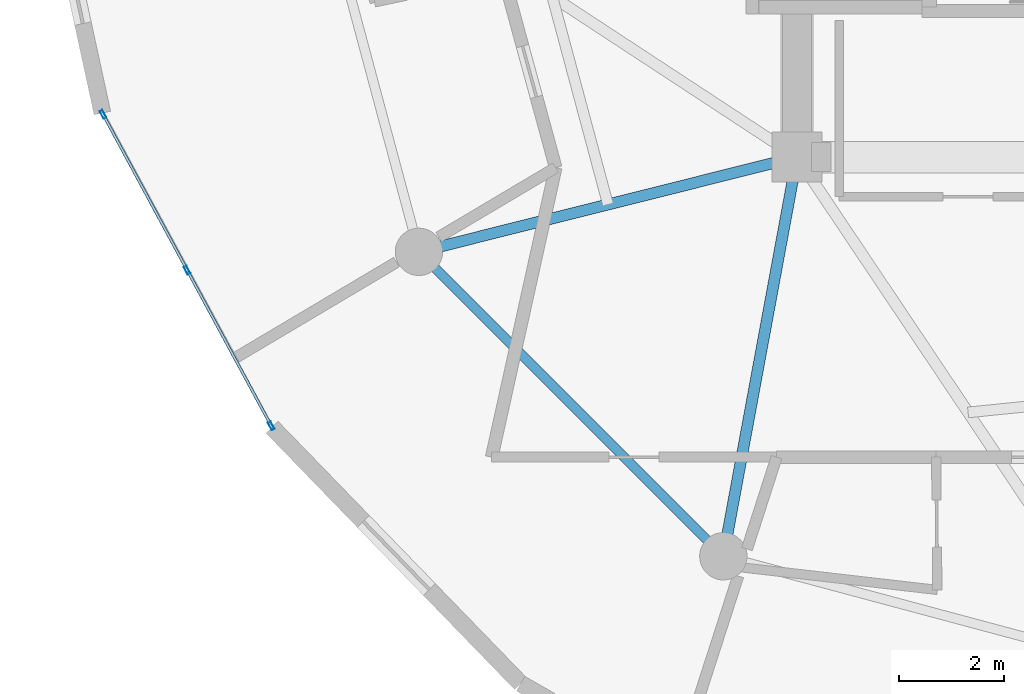
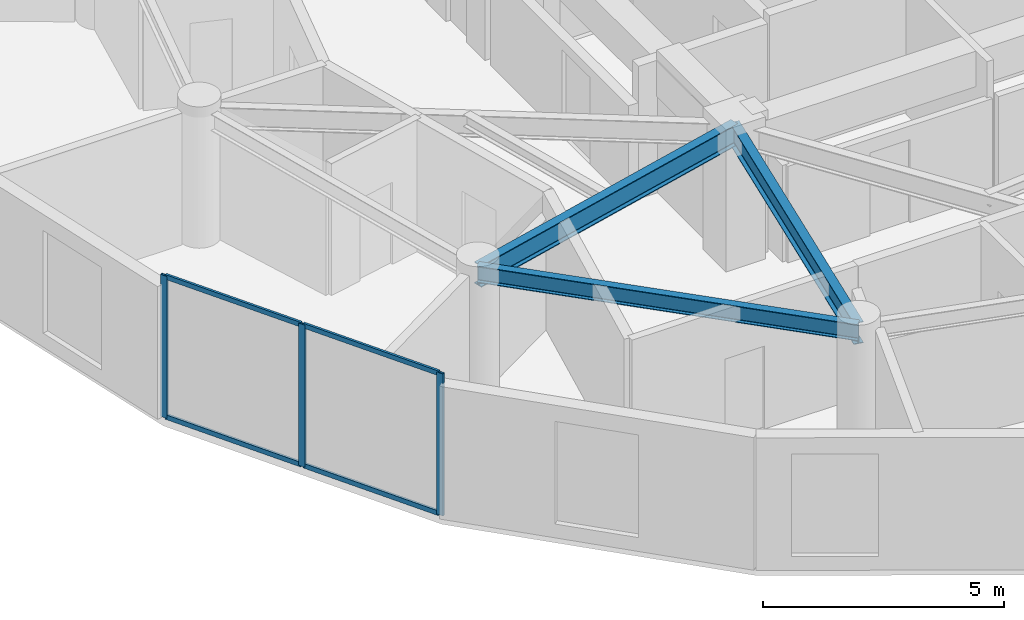
# One storey, part 3 of 23: 7 members, 3 beams, 1 element without a shape of its own.
"""IFC4 building model written with IfcOpenShell, lengths in metres."""

from ifc_helpers import new_model, si_unit, direction, frame, origin, origin_2d, place, context, subcontext, project, spatial, hollow_rectangle, i_section, extrude, source, transform, mapped, material, layer, layer_set, material_profile, profile_set, type_object, element, aggregate, save


model = new_model("IFC4")

# Units and contexts
model_context = context("Model", 3, precision=1e-05, world=origin(), true_north=direction((0.0, 1.0)))
body_context = subcontext(model_context, "Body", "Model", "MODEL_VIEW")
ifc_project = project(units=[si_unit("LENGTHUNIT", "METRE"), si_unit("AREAUNIT", "SQUARE_METRE"), si_unit("VOLUMEUNIT", "CUBIC_METRE"), si_unit("PLANEANGLEUNIT", "RADIAN"), si_unit("MASSUNIT", "GRAM", prefix="KILO")], contexts=[model_context])

# Site, building, storey
site_placement = place(None, origin())
site = spatial("IfcSite", under=ifc_project, at=site_placement, CompositionType="ELEMENT")
building_placement = place(site_placement, origin())
building = spatial("IfcBuilding", under=site, at=building_placement, Name="Solvirekh Grand Hotel", CompositionType="ELEMENT")
storey_placement = place(building_placement, frame((0.0, 0.0, 173.199951171875)))
storey = spatial("IfcBuildingStorey", under=building, at=storey_placement, Name="L44", CompositionType="ELEMENT", Elevation=173.199951171875)

# Beams
ifc_material_1 = material(Name="Steel S355", Category="steel")
ifc_material_profile_1 = material_profile(ifc_material_1, i_section(OverallWidth=0.2119140625, OverallDepth=0.5439453125, WebThickness=0.011962890625, FlangeThickness=0.01904296875, FilletRadius=0.013916015625, at=origin_2d()), Name="W530X123")
ifc_profile_set_1 = profile_set([ifc_material_profile_1], Name="Steel S355")
beam_type_1 = type_object("IfcBeamType", Name="Beam_Radial_W530H", PredefinedType="BEAM", material=ifc_profile_set_1)
beam_1_placement = place(storey_placement, frame((-6.5, -6.10009765625, 3.088134765625), z_axis=(-0.970014367692, -0.243047580675, 0.0), x_axis=(0.243047580675, -0.970014367692, 0.0)))
element("IfcBeam", 1, at=beam_1_placement, inside=storey, type_object=beam_type_1, Name="L44 radial floor beam R08", PredefinedType="BEAM", context=body_context, shape_type="SweptSolid", body=[
    extrude(i_section(OverallWidth=0.2119140625, OverallDepth=0.5439453125, WebThickness=0.011962890625, FlangeThickness=0.01904296875, FilletRadius=0.013916015625, at=origin_2d()), origin(), (0.0, 0.0, 1.0), 7.4052734375),
])
beam_2_placement = place(storey_placement, frame((-6.5, -6.10009765625, 3.088134765625), z_axis=(-0.181542769111, -0.983383049978, 0.0), x_axis=(0.983383049978, -0.181542769111, 0.0)))
element("IfcBeam", 2, at=beam_2_placement, inside=storey, type_object=beam_type_1, Name="L44 radial floor beam R09", PredefinedType="BEAM", context=body_context, shape_type="SweptSolid", body=[
    extrude(i_section(OverallWidth=0.2119140625, OverallDepth=0.5439453125, WebThickness=0.011962890625, FlangeThickness=0.01904296875, FilletRadius=0.013916015625, at=origin_2d()), origin(), (0.0, 0.0, 1.0), 7.711181640625),
])
ifc_material_profile_2 = material_profile(ifc_material_1, i_section(OverallWidth=0.180908203125, OverallDepth=0.4169921875, WebThickness=0.010009765625, FlangeThickness=0.01611328125, FilletRadius=0.011962890625, at=origin_2d()), Name="W410X85")
ifc_profile_set_2 = profile_set([ifc_material_profile_2], Name="Steel S355")
beam_type_2 = type_object("IfcBeamType", Name="Spandrel_Ring_W410", PredefinedType="SPANDREL", material=ifc_profile_set_2)
beam_3_placement = place(storey_placement, frame((-13.68310546875, -7.89990234375, 3.152099609375), z_axis=(0.707106781187, -0.707106781187, 0.0), x_axis=(0.707106781187, 0.707106781187, 0.0)))
element("IfcBeam", 3, at=beam_3_placement, inside=storey, type_object=beam_type_2, Name="L44 perimeter spandrel beam 8", PredefinedType="SPANDREL", context=body_context, shape_type="SweptSolid", body=[
    extrude(i_section(OverallWidth=0.180908203125, OverallDepth=0.4169921875, WebThickness=0.010009765625, FlangeThickness=0.01611328125, FilletRadius=0.011962890625, at=origin_2d()), origin(), (0.0, 0.0, 1.0), 8.1787109375),
])

# Curtain wall, members
ifc_material_2 = material(Name="Anodized Bronze Aluminium 6063-T6", Category="aluminium")
ifc_layer = layer(ifc_material_2, 0.159912109375)
ifc_layer_set = layer_set([ifc_layer], Name="Anodized Bronze Aluminium 6063-T6")
curtain_wall_type = type_object("IfcCurtainWallType", Name="CW_Sys4_HighZoneFlushBronzeCW", PredefinedType="NOTDEFINED", material=ifc_layer_set)
curtain_wall_placement = place(storey_placement, origin())
curtain_wall = element("IfcCurtainWall", 4, at=curtain_wall_placement, inside=storey, type_object=curtain_wall_type, Name="L44 unitised bronze-glass curtain wall CW-L44-C15", PredefinedType="NOTDEFINED")
ifc_material_profile_3 = material_profile(ifc_material_2, hollow_rectangle(XDim=0.06005859375, YDim=0.159912109375, WallThickness=0.0048828125, at=origin_2d()), Name="ALU RHS 160X60X5")
ifc_profile_set_3 = profile_set([ifc_material_profile_3], Name="Anodized Bronze Aluminium 6063-T6")
member_type_1 = type_object("IfcMemberType", Name="CWMullion_Sys4", PredefinedType="MULLION", material=ifc_profile_set_3)
shared_shape_1 = source(origin(), body_context, "Body", "SweptSolid", [
    extrude(hollow_rectangle(XDim=0.06005859375, YDim=0.159912109375, WallThickness=0.0048828125, at=origin_2d()), origin(), (0.0, 0.0, 1.0), 3.60009765625),
])
member_1_placement = place(storey_placement, frame((-19.683837890625, -5.288330078125, 0.0), z_axis=(0.0, 0.0, 1.0), x_axis=(0.879893073373, 0.475171736775, 0.0)))
member_1 = element("IfcMember", 5, at=member_1_placement, type_object=member_type_1, Name="U04 mullion 1", PredefinedType="MULLION", context=body_context, shape_type="MappedRepresentation", body=[
    mapped(shared_shape_1, transform((0.0, 0.0, 0.0), x_axis=(1.0, 0.0, 0.0), y_axis=(0.0, 1.0, 0.0), z_axis=(0.0, 0.0, 1.0), scale=1.0)),
])
member_2_placement = place(storey_placement, frame((-18.0859375, -8.2470703125, 0.0), z_axis=(0.0, 0.0, 1.0), x_axis=(0.879893073373, 0.475171736775, 0.0)))
member_2 = element("IfcMember", 6, at=member_2_placement, type_object=member_type_1, Name="U04 mullion 2", PredefinedType="MULLION", context=body_context, shape_type="MappedRepresentation", body=[
    mapped(shared_shape_1, transform((0.0, 0.0, 0.0), x_axis=(1.0, 0.0, 0.0), y_axis=(0.0, 1.0, 0.0), z_axis=(0.0, 0.0, 1.0), scale=1.0)),
])
member_3_placement = place(storey_placement, frame((-16.48828125, -11.20556640625, 0.0), z_axis=(0.0, 0.0, 1.0), x_axis=(0.879893073373, 0.475171736775, 0.0)))
member_3 = element("IfcMember", 7, at=member_3_placement, type_object=member_type_1, Name="U04 mullion 3", PredefinedType="MULLION", context=body_context, shape_type="MappedRepresentation", body=[
    mapped(shared_shape_1, transform((0.0, 0.0, 0.0), x_axis=(1.0, 0.0, 0.0), y_axis=(0.0, 1.0, 0.0), z_axis=(0.0, 0.0, 1.0), scale=1.0)),
])
ifc_material_profile_4 = material_profile(ifc_material_2, hollow_rectangle(XDim=0.054931640625, YDim=0.1201171875, WallThickness=0.00390625, at=origin_2d()), Name="ALU RHS 120X55X4")
ifc_profile_set_4 = profile_set([ifc_material_profile_4], Name="Anodized Bronze Aluminium 6063-T6")
member_type_2 = type_object("IfcMemberType", Name="CWTransom_Sys4", PredefinedType="USERDEFINED", material=ifc_profile_set_4)
shared_shape_2 = source(origin(), body_context, "Body", "SweptSolid", [
    extrude(hollow_rectangle(XDim=0.054931640625, YDim=0.1201171875, WallThickness=0.00390625, at=origin_2d()), origin(), (0.0, 0.0, 1.0), 3.302490234375),
])
member_4_placement = place(storey_placement, frame((-19.66943359375, -5.314697265625, 0.027587890625), z_axis=(0.475113428707, -0.879924559188, 0.0), x_axis=(0.879924559188, 0.475113428707, 0.0)))
member_4 = element("IfcMember", 8, at=member_4_placement, type_object=member_type_2, Name="U04 transom 1.1", ObjectType="TRANSOM", PredefinedType="USERDEFINED", context=body_context, shape_type="MappedRepresentation", body=[
    mapped(shared_shape_2, transform((0.0, 0.0, 0.0), x_axis=(1.0, 0.0, 0.0), y_axis=(0.0, 1.0, 0.0), z_axis=(0.0, 0.0, 1.0), scale=1.0)),
])
member_5_placement = place(storey_placement, frame((-19.66943359375, -5.314697265625, 3.572509765625), z_axis=(0.475113428707, -0.879924559188, 0.0), x_axis=(0.879924559188, 0.475113428707, 0.0)))
member_5 = element("IfcMember", 9, at=member_5_placement, type_object=member_type_2, Name="U04 transom 1.2", ObjectType="TRANSOM", PredefinedType="USERDEFINED", context=body_context, shape_type="MappedRepresentation", body=[
    mapped(shared_shape_2, transform((0.0, 0.0, 0.0), x_axis=(1.0, 0.0, 0.0), y_axis=(0.0, 1.0, 0.0), z_axis=(0.0, 0.0, 1.0), scale=1.0)),
])
member_6_placement = place(storey_placement, frame((-18.07177734375, -8.2734375, 0.027587890625), z_axis=(0.475201571573, -0.87987696093, 0.0), x_axis=(0.87987696093, 0.475201571573, 0.0)))
member_6 = element("IfcMember", 10, at=member_6_placement, type_object=member_type_2, Name="U04 transom 2.1", ObjectType="TRANSOM", PredefinedType="USERDEFINED", context=body_context, shape_type="MappedRepresentation", body=[
    mapped(shared_shape_2, transform((0.0, 0.0, 0.0), x_axis=(1.0, 0.0, 0.0), y_axis=(0.0, 1.0, 0.0), z_axis=(0.0, 0.0, 1.0), scale=1.0)),
])
member_7_placement = place(storey_placement, frame((-18.07177734375, -8.2734375, 3.572509765625), z_axis=(0.475201571573, -0.87987696093, 0.0), x_axis=(0.87987696093, 0.475201571573, 0.0)))
member_7 = element("IfcMember", 11, at=member_7_placement, type_object=member_type_2, Name="U04 transom 2.2", ObjectType="TRANSOM", PredefinedType="USERDEFINED", context=body_context, shape_type="MappedRepresentation", body=[
    mapped(shared_shape_2, transform((0.0, 0.0, 0.0), x_axis=(1.0, 0.0, 0.0), y_axis=(0.0, 1.0, 0.0), z_axis=(0.0, 0.0, 1.0), scale=1.0)),
])
aggregate(curtain_wall, [member_1, member_2, member_3, member_4, member_5, member_6, member_7])

save(model, "model.ifc")
